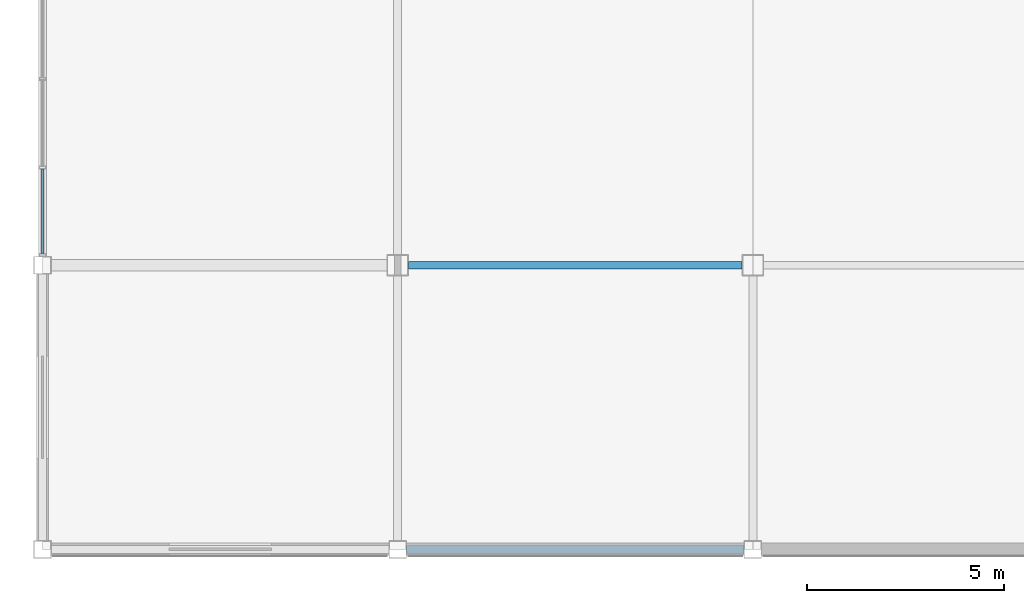
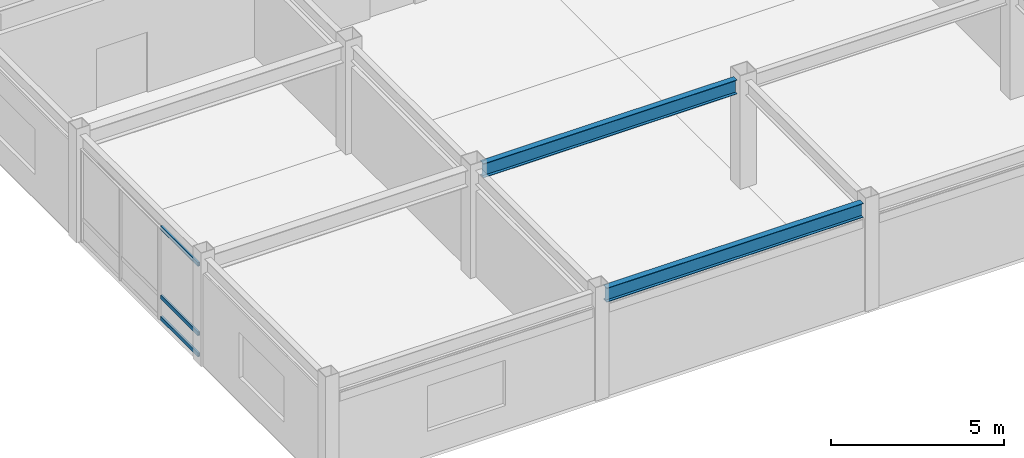
# One storey, part 12 of 122: 3 members, 2 beams, 1 element without a shape of its own.
"""IFC4 building model written with IfcOpenShell, lengths in metres."""

from ifc_helpers import new_model, si_unit, direction, frame, origin, origin_2d, place, context, subcontext, project, spatial, hollow_rectangle, i_section, extrude, material, material_profile, profile_set, type_object, element, aggregate, save


model = new_model("IFC4")

# Units and contexts
model_context = context("Model", 3, precision=1e-05, world=origin(), true_north=direction((0.0, 1.0)))
body_context = subcontext(model_context, "Body", "Model", "MODEL_VIEW")
ifc_project = project(units=[si_unit("LENGTHUNIT", "METRE"), si_unit("AREAUNIT", "SQUARE_METRE"), si_unit("VOLUMEUNIT", "CUBIC_METRE"), si_unit("PLANEANGLEUNIT", "RADIAN"), si_unit("MASSUNIT", "GRAM", prefix="KILO")], contexts=[model_context])

# Site, building, storey
site_placement = place(None, origin())
site = spatial("IfcSite", under=ifc_project, at=site_placement, CompositionType="ELEMENT")
building_placement = place(site_placement, origin())
building = spatial("IfcBuilding", under=site, at=building_placement, Name="Kazanami Central Library", CompositionType="ELEMENT")
storey_placement = place(building_placement, frame((0.0, 0.0, 4.800048828125)))
storey = spatial("IfcBuildingStorey", under=building, at=storey_placement, Name="L02", CompositionType="ELEMENT", Elevation=4.800048828125)

# Beams
ifc_material_1 = material(Name="Steel SN490B (325 MPa)", Category="steel")
ifc_material_profile_1 = material_profile(ifc_material_1, i_section(OverallWidth=0.199951171875, OverallDepth=0.5, WebThickness=0.010009765625, FlangeThickness=0.01611328125, at=origin_2d()), Name="H-500x200x10x16")
ifc_profile_set_1 = profile_set([ifc_material_profile_1], Name="Steel SN490B (325 MPa)")
beam_type = type_object("IfcBeamType", Name="BM-SP-1", PredefinedType="SPANDREL", material=ifc_profile_set_1)
beam_1_placement = place(storey_placement, frame((9.222900390625, 0.0, 3.5048828125), z_axis=(1.0, 0.0, 0.0), x_axis=(0.0, 1.0, 0.0)))
element("IfcBeam", 1, at=beam_1_placement, inside=storey, type_object=beam_type, Name="Girder SP-1 L02 A/2-3", PredefinedType="SPANDREL", context=body_context, shape_type="SweptSolid", body=[
    extrude(i_section(OverallWidth=0.199951171875, OverallDepth=0.5, WebThickness=0.010009765625, FlangeThickness=0.01611328125, at=origin_2d()), origin(), (0.0, 0.0, 1.0), 8.55419921875),
])
beam_2_placement = place(storey_placement, frame((9.27294921875, 7.199951171875, 3.5048828125), z_axis=(1.0, 0.0, 0.0), x_axis=(0.0, 1.0, 0.0)))
element("IfcBeam", 2, at=beam_2_placement, inside=storey, type_object=beam_type, Name="Girder SP-1 L02 B/2-3", PredefinedType="SPANDREL", context=body_context, shape_type="SweptSolid", body=[
    extrude(i_section(OverallWidth=0.199951171875, OverallDepth=0.5, WebThickness=0.010009765625, FlangeThickness=0.01611328125, at=origin_2d()), origin(), (0.0, 0.0, 1.0), 8.4541015625),
])

# Curtain wall, members
ifc_material_2 = material(Name="Acid-Etched Low-E Laminated Glass", Category="glass")
curtain_wall_type = type_object("IfcCurtainWallType", Name="CW-6750x3255-M225", PredefinedType="USERDEFINED", material=ifc_material_2)
curtain_wall_placement = place(storey_placement, origin())
curtain_wall = element("IfcCurtainWall", 3, at=curtain_wall_placement, inside=storey, type_object=curtain_wall_type, Name="Unitised Curtain Wall CW-20 L02 W-1-01", ObjectType="UNITISED CURTAIN WALL", PredefinedType="USERDEFINED")
ifc_material_3 = material(Name="Anodised Aluminium A6063-T5", Category="aluminium")
ifc_material_profile_2 = material_profile(ifc_material_3, hollow_rectangle(XDim=0.06494140625, YDim=0.139892578125, WallThickness=0.00390625, at=origin_2d()), Name="ALU-TRAN-65x140x4")
ifc_profile_set_2 = profile_set([ifc_material_profile_2], Name="Anodised Aluminium A6063-T5")
member_type = type_object("IfcMemberType", Name="MEM-CW-T2", PredefinedType="USERDEFINED", material=ifc_profile_set_2)
member_1_placement = place(storey_placement, frame((0.0, 7.489990234375, 0.032470703125), z_axis=(0.0, 1.0, 0.0), x_axis=(-1.0, 0.0, 0.0)))
member_1 = element("IfcMember", 4, at=member_1_placement, type_object=member_type, Name="CW-20 transom 1.1", ObjectType="TRANSOM", PredefinedType="USERDEFINED", context=body_context, shape_type="SweptSolid", body=[
    extrude(hollow_rectangle(XDim=0.06494140625, YDim=0.139892578125, WallThickness=0.00390625, at=origin_2d()), origin(), (0.0, 0.0, 1.0), 2.152587890625),
])
member_2_placement = place(storey_placement, frame((0.0, 7.489990234375, 0.780029296875), z_axis=(0.0, 1.0, 0.0), x_axis=(-1.0, 0.0, 0.0)))
member_2 = element("IfcMember", 5, at=member_2_placement, type_object=member_type, Name="CW-20 transom 1.2", ObjectType="TRANSOM", PredefinedType="USERDEFINED", context=body_context, shape_type="SweptSolid", body=[
    extrude(hollow_rectangle(XDim=0.06494140625, YDim=0.139892578125, WallThickness=0.00390625, at=origin_2d()), origin(), (0.0, 0.0, 1.0), 2.152587890625),
])
member_3_placement = place(storey_placement, frame((0.0, 7.489990234375, 3.222412109375), z_axis=(0.0, 1.0, 0.0), x_axis=(-1.0, 0.0, 0.0)))
member_3 = element("IfcMember", 6, at=member_3_placement, type_object=member_type, Name="CW-20 transom 1.3", ObjectType="TRANSOM", PredefinedType="USERDEFINED", context=body_context, shape_type="SweptSolid", body=[
    extrude(hollow_rectangle(XDim=0.06494140625, YDim=0.139892578125, WallThickness=0.00390625, at=origin_2d()), origin(), (0.0, 0.0, 1.0), 2.152587890625),
])
aggregate(curtain_wall, [member_1, member_2, member_3])

save(model, "model.ifc")
